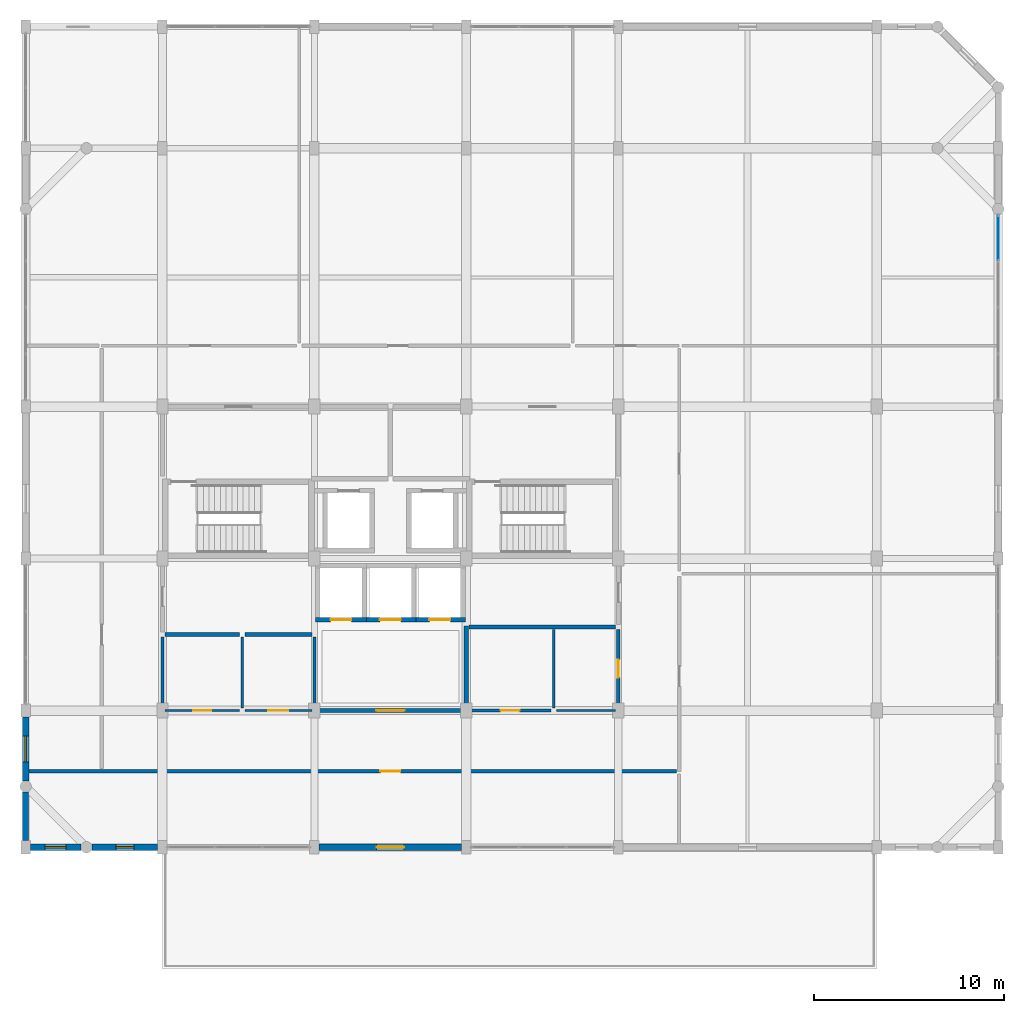
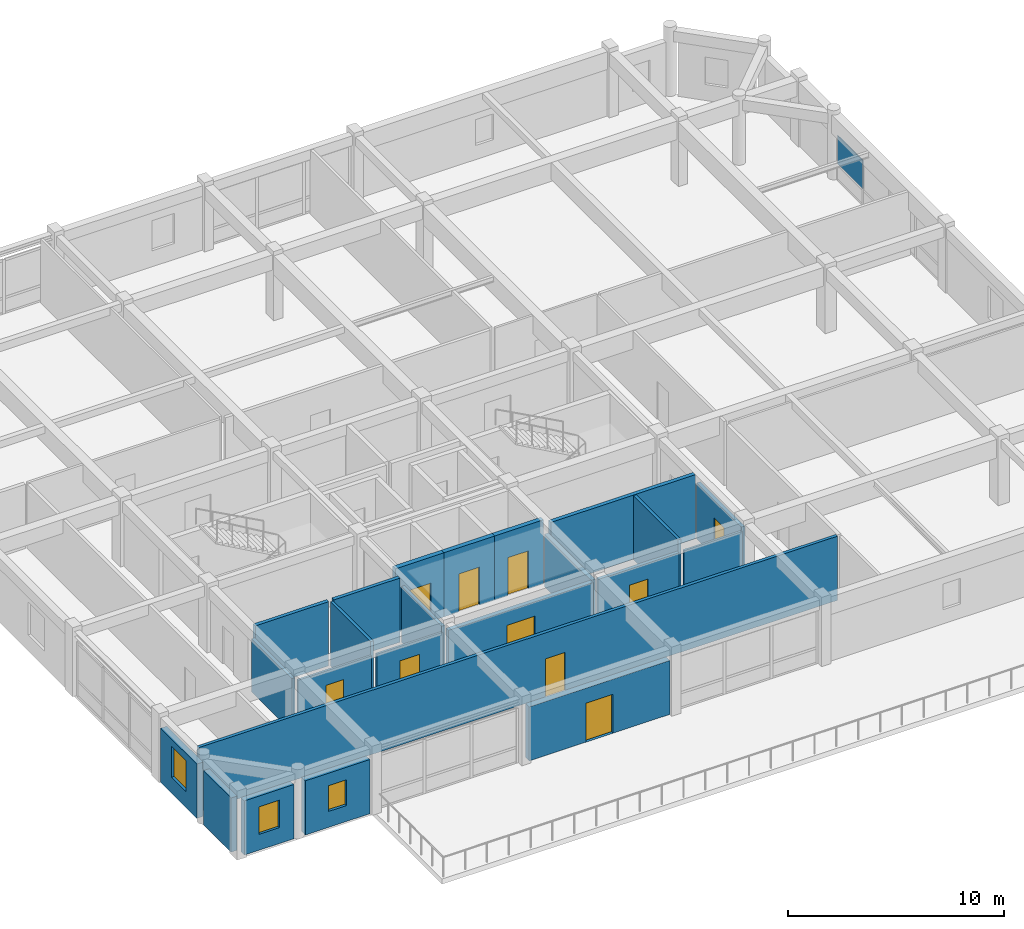
# One storey, part 9 of 13: 23 walls, 10 doors, 3 windows, 1 plate, 13 openings, 1 element without a shape of its own.
"""IFC4 building model written with IfcOpenShell, lengths in metres."""

from ifc_helpers import new_model, si_unit, direction, frame, frame_2d, origin, origin_2d, place, context, subcontext, project, spatial, rectangle, extrude, material, layer, layer_set, type_object, element, fill, aggregate, save


model = new_model("IFC4")

# Units and contexts
model_context = context("Model", 3, precision=1e-05, world=origin(), true_north=direction((0.0, 1.0)))
body_context = subcontext(model_context, "Body", "Model", "MODEL_VIEW")
ifc_project = project(units=[si_unit("LENGTHUNIT", "METRE"), si_unit("AREAUNIT", "SQUARE_METRE"), si_unit("VOLUMEUNIT", "CUBIC_METRE"), si_unit("PLANEANGLEUNIT", "RADIAN"), si_unit("MASSUNIT", "GRAM", prefix="KILO")], contexts=[model_context])

# Site, building, storey
site_placement = place(None, origin())
site = spatial("IfcSite", under=ifc_project, at=site_placement, CompositionType="ELEMENT")
building_placement = place(site_placement, origin())
building = spatial("IfcBuilding", under=site, at=building_placement, Name="Vellmiral Cinema and Media Centre", CompositionType="ELEMENT")
storey_placement = place(building_placement, frame((0.0, 0.0, 50.89990234375)))
storey = spatial("IfcBuildingStorey", under=building, at=storey_placement, Name="L12", CompositionType="ELEMENT", Elevation=50.89990234375)

# Curtain wall, plate
ifc_material_1 = material(Name="Thermally Broken Aluminium and Triple Glazing", Category="aluminium")
curtain_wall_type = type_object("IfcCurtainWallType", Name="CW-TOWER-MID-E", PredefinedType="USERDEFINED", material=ifc_material_1)
curtain_wall_placement = place(storey_placement, origin())
curtain_wall = element("IfcCurtainWall", 1, at=curtain_wall_placement, inside=storey, type_object=curtain_wall_type, Name="Curtain Wall L12-B013", ObjectType="UNITISED CURTAIN WALL", PredefinedType="USERDEFINED")
ifc_material_2 = material(Name="Solar-Control Acoustic Triple Glazing", Category="glass")
ifc_layer_1 = layer(ifc_material_2, 0.0419921875, Name="Solar-Control Acoustic Triple Glazing")
ifc_layer_set_1 = layer_set([ifc_layer_1], Name="Solar-Control Acoustic Triple Glazing")
plate_type = type_object("IfcPlateType", Name="CWP-SOLAR-42", PredefinedType="CURTAIN_PANEL", material=ifc_layer_set_1)
plate_placement = place(storey_placement, frame((168.0, 104.06494140625, 0.9326171875), z_axis=(0.0, 0.0, 1.0), x_axis=(0.0, 1.0, 0.0)))
plate = element("IfcPlate", 2, at=plate_placement, type_object=plate_type, Name="CW-07 panel 4.2", PredefinedType="CURTAIN_PANEL", context=body_context, shape_type="SweptSolid", body=[
    extrude(rectangle(XDim=2.340087890625, YDim=0.0419921875, at=origin_2d()), origin(), (0.0, 0.0, 1.0), 1.597412109375),
])
aggregate(curtain_wall, [plate])

# Wall
ifc_material_3 = material(Name="Concrete C40/50", Category="concrete")
ifc_layer_2 = layer(ifc_material_3, 0.2099609375, Name="Concrete C40/50")
ifc_layer_set_2 = layer_set([ifc_layer_2], Name="Concrete C40/50")
wall_type_1 = type_object("IfcWallType", Name="WL-COMP-210", PredefinedType="SOLIDWALL", material=ifc_layer_set_2)
wall_1_placement = place(storey_placement, frame((140.139892578125, 83.60009765625, 0.0), z_axis=(0.0, 0.0, 1.0), x_axis=(1.0, 0.0, 0.0)))
element("IfcWall", 3, at=wall_1_placement, inside=storey, type_object=wall_type_1, Name="Mechanical Riser and Duct Room Wall S", PredefinedType="SOLIDWALL", context=body_context, shape_type="SweptSolid", body=[
    extrude(rectangle(XDim=7.72021484375, YDim=0.2099609375, at=frame_2d((3.860107421875, 0.0))), origin(), (0.0, 0.0, 1.0), 3.6201171875),
])

# Wall, opening, window
ifc_material_4 = material(Name="Polychrome Glazed Ceramic Cladding", Category="masonry")
ifc_layer_3 = layer(ifc_material_4, 0.320068359375, Name="Polychrome Glazed Ceramic Cladding")
ifc_layer_set_3 = layer_set([ifc_layer_3], Name="Polychrome Glazed Ceramic Cladding")
wall_type_2 = type_object("IfcWallType", Name="WL-EXT-BRICK-320", PredefinedType="SOLIDWALL", material=ifc_layer_set_3)
wall_2_placement = place(storey_placement, frame((117.050048828125, 72.0, 0.0), z_axis=(0.0, 0.0, 1.0), x_axis=(1.0, 0.0, 0.0)))
wall_2 = element("IfcWall", 4, at=wall_2_placement, inside=storey, type_object=wall_type_2, Name="Exterior Facade Wall L12-001", PredefinedType="SOLIDWALL", context=body_context, shape_type="SweptSolid", body=[
    extrude(rectangle(XDim=2.64990234375, YDim=0.320068359375, at=frame_2d((1.324951171875, 0.0))), origin(), (0.0, 0.0, 1.0), 3.06005859375),
])
opening_1_placement = place(wall_2_placement, frame((0.77490234375, 0.0, 0.89990234375)))
opening_1 = element("IfcOpeningElement", 5, at=opening_1_placement, cuts=wall_2, Name="Opening WN-11", PredefinedType="OPENING", context=body_context, shape_type="SweptSolid", body=[
    extrude(rectangle(XDim=1.10009765625, YDim=1.550048828125, at=frame_2d((0.550048828125, 0.77490234375))), frame((0.0, 0.171875, 0.0), z_axis=(0.0, -1.0, 0.0), x_axis=(1.0, 0.0, 0.0)), (0.0, 0.0, 1.0), 0.343994140625),
])
ifc_material_5 = material(Name="Thermally Broken Aluminium Triple Glazing", Category="aluminium")
window_type_1 = type_object("IfcWindowType", Name="WN-1100x1550", PartitioningType="SINGLE_PANEL", PredefinedType="WINDOW", material=ifc_material_5)
window_1_placement = place(opening_1_placement, origin())
window_1 = element("IfcWindow", 6, at=window_1_placement, inside=storey, type_object=window_type_1, Name="Window L12-001", OverallHeight=1.550048828125, OverallWidth=1.10009765625, PartitioningType="SINGLE_PANEL", PredefinedType="WINDOW", context=body_context, shape_type="SweptSolid", body=[
    extrude(rectangle(XDim=1.10009765625, YDim=1.550048828125, at=frame_2d((0.550048828125, 0.77490234375))), frame((0.0, 0.030029296875, 0.0), z_axis=(0.0, -1.0, 0.0), x_axis=(1.0, 0.0, 0.0)), (0.0, 0.0, 1.0), 0.06005859375),
])
fill(opening_1, window_1)

# Wall
wall_3_placement = place(storey_placement, frame((116.800048828125, 74.89990234375, 0.0), z_axis=(0.0, 0.0, 1.0), x_axis=(0.0, -1.0, 0.0)))
element("IfcWall", 7, at=wall_3_placement, inside=storey, type_object=wall_type_2, Name="Exterior Facade Wall L12-029", PredefinedType="SOLIDWALL", context=body_context, shape_type="SweptSolid", body=[
    extrude(rectangle(XDim=2.5498046875, YDim=0.320068359375, at=frame_2d((1.27490234375, 0.0))), origin(), (0.0, 0.0, 1.0), 3.06005859375),
])

# Wall, opening, window
ifc_material_6 = material(Name="Vosges Red Sandstone Masonry", Category="masonry")
ifc_layer_4 = layer(ifc_material_6, 0.340087890625, Name="Vosges Red Sandstone Masonry")
ifc_layer_set_4 = layer_set([ifc_layer_4], Name="Vosges Red Sandstone Masonry")
wall_type_3 = type_object("IfcWallType", Name="WL-EXT-SAND-340", PredefinedType="SOLIDWALL", material=ifc_layer_set_4)
wall_4_placement = place(storey_placement, frame((120.300048828125, 72.0, 0.0), z_axis=(0.0, 0.0, 1.0), x_axis=(1.0, 0.0, 0.0)))
wall_4 = element("IfcWall", 8, at=wall_4_placement, inside=storey, type_object=wall_type_3, Name="Exterior Facade Wall L12-002", PredefinedType="SOLIDWALL", context=body_context, shape_type="SweptSolid", body=[
    extrude(rectangle(XDim=3.449951171875, YDim=0.340087890625, at=frame_2d((1.72509765625, 0.0))), origin(), (0.0, 0.0, 1.0), 3.06005859375),
])
opening_2_placement = place(wall_4_placement, frame((1.25, 0.0, 0.89990234375)))
opening_2 = element("IfcOpeningElement", 9, at=opening_2_placement, cuts=wall_4, Name="Opening WN-12", PredefinedType="OPENING", context=body_context, shape_type="SweptSolid", body=[
    extrude(rectangle(XDim=0.949951171875, YDim=1.449951171875, at=frame_2d((0.47509765625, 0.72509765625))), frame((0.0, 0.18212890625, 0.0), z_axis=(0.0, -1.0, 0.0), x_axis=(1.0, 0.0, 0.0)), (0.0, 0.0, 1.0), 0.364013671875),
])
ifc_material_7 = material(Name="Thermally Broken Aluminium Triple Glazing", Category="aluminium")
window_type_2 = type_object("IfcWindowType", Name="WN-0950x1450", PartitioningType="SINGLE_PANEL", PredefinedType="WINDOW", material=ifc_material_7)
window_2_placement = place(opening_2_placement, origin())
window_2 = element("IfcWindow", 10, at=window_2_placement, inside=storey, type_object=window_type_2, Name="Window L12-002", OverallHeight=1.449951171875, OverallWidth=0.949951171875, PartitioningType="SINGLE_PANEL", PredefinedType="WINDOW", context=body_context, shape_type="SweptSolid", body=[
    extrude(rectangle(XDim=0.949951171875, YDim=1.449951171875, at=frame_2d((0.47509765625, 0.72509765625))), frame((0.0, 0.030029296875, 0.0), z_axis=(0.0, -1.0, 0.0), x_axis=(1.0, 0.0, 0.0)), (0.0, 0.0, 1.0), 0.06005859375),
])
fill(opening_2, window_2)

# Wall, opening, door
wall_5_placement = place(storey_placement, frame((132.25, 72.0, 0.0), z_axis=(0.0, 0.0, 1.0), x_axis=(1.0, 0.0, 0.0)))
wall_5 = element("IfcWall", 11, at=wall_5_placement, inside=storey, type_object=wall_type_3, Name="Exterior Facade Wall L12-004", PredefinedType="SOLIDWALL", context=body_context, shape_type="SweptSolid", body=[
    extrude(rectangle(XDim=7.5, YDim=0.340087890625, at=frame_2d((3.75, 0.0))), origin(), (0.0, 0.0, 1.0), 3.045166015625),
])
opening_3_placement = place(wall_5_placement, frame((3.02490234375, 0.0, 0.0)))
opening_3 = element("IfcOpeningElement", 12, at=opening_3_placement, cuts=wall_5, Name="Opening DE-05", PredefinedType="OPENING", context=body_context, shape_type="SweptSolid", body=[
    extrude(rectangle(XDim=1.449951171875, YDim=2.199951171875, at=frame_2d((0.72509765625, 1.10009765625))), frame((0.0, 0.18212890625, 0.0), z_axis=(0.0, -1.0, 0.0), x_axis=(1.0, 0.0, 0.0)), (0.0, 0.0, 1.0), 0.364013671875),
])
ifc_material_8 = material(Name="Thermally Broken Glazed Aluminium and Bronze Door", Category="aluminium")
door_type_1 = type_object("IfcDoorType", Name="DR-TER-1450x2200", OperationType="DOUBLE_DOOR_SINGLE_SWING", PredefinedType="DOOR", material=ifc_material_8)
door_1_placement = place(opening_3_placement, frame((1.449951171875, 0.0, 0.0), z_axis=(0.0, 0.0, 1.0), x_axis=(-1.0, 0.0, 0.0)))
door_1 = element("IfcDoor", 13, at=door_1_placement, inside=storey, type_object=door_type_1, Name="Tower Rhine View Terrace Door", OperationType="DOUBLE_DOOR_SINGLE_SWING", OverallHeight=2.199951171875, OverallWidth=1.449951171875, PredefinedType="DOOR", context=body_context, shape_type="SweptSolid", body=[
    extrude(rectangle(XDim=1.449951171875, YDim=2.199951171875, at=frame_2d((0.72509765625, 1.10009765625))), frame((0.0, 0.02490234375, 0.0), z_axis=(0.0, -1.0, 0.0), x_axis=(1.0, 0.0, 0.0)), (0.0, 0.0, 1.0), 0.050048828125),
])
fill(opening_3, door_1)

# Wall, opening, window
wall_6_placement = place(storey_placement, frame((116.800048828125, 78.85009765625, 0.0), z_axis=(0.0, 0.0, 1.0), x_axis=(0.0, -1.0, 0.0)))
wall_6 = element("IfcWall", 14, at=wall_6_placement, inside=storey, type_object=wall_type_3, Name="Exterior Facade Wall L12-028", PredefinedType="SOLIDWALL", context=body_context, shape_type="SweptSolid", body=[
    extrude(rectangle(XDim=3.35009765625, YDim=0.340087890625, at=frame_2d((1.675048828125, 0.0))), origin(), (0.0, 0.0, 1.0), 3.06005859375),
])
opening_4_placement = place(wall_6_placement, frame((1.0, 0.0, 0.89990234375)))
opening_4 = element("IfcOpeningElement", 15, at=opening_4_placement, cuts=wall_6, Name="Opening WN-08", PredefinedType="OPENING", context=body_context, shape_type="SweptSolid", body=[
    extrude(rectangle(XDim=1.35009765625, YDim=1.75, at=frame_2d((0.675048828125, 0.875))), frame((0.0, 0.18212890625, 0.0), z_axis=(0.0, -1.0, 0.0), x_axis=(1.0, 0.0, 0.0)), (0.0, 0.0, 1.0), 0.364013671875),
])
ifc_material_9 = material(Name="Thermally Broken Aluminium Triple Glazing", Category="aluminium")
window_type_3 = type_object("IfcWindowType", Name="WN-1350x1750", PartitioningType="SINGLE_PANEL", PredefinedType="WINDOW", material=ifc_material_9)
window_3_placement = place(opening_4_placement, origin())
window_3 = element("IfcWindow", 16, at=window_3_placement, inside=storey, type_object=window_type_3, Name="Window L12-028", OverallHeight=1.75, OverallWidth=1.35009765625, PartitioningType="SINGLE_PANEL", PredefinedType="WINDOW", context=body_context, shape_type="SweptSolid", body=[
    extrude(rectangle(XDim=1.35009765625, YDim=1.75, at=frame_2d((0.675048828125, 0.875))), frame((0.0, 0.030029296875, 0.0), z_axis=(0.0, -1.0, 0.0), x_axis=(1.0, 0.0, 0.0)), (0.0, 0.0, 1.0), 0.06005859375),
])
fill(opening_4, window_3)

# Wall, opening, door
ifc_material_10 = material(Name="Concrete C40/50", Category="concrete")
ifc_layer_5 = layer(ifc_material_10, 0.22998046875, Name="Concrete C40/50")
ifc_layer_set_5 = layer_set([ifc_layer_5], Name="Concrete C40/50")
wall_type_4 = type_object("IfcWallType", Name="WL-FFL-230", PredefinedType="SOLIDWALL", material=ifc_layer_set_5)
wall_7_placement = place(storey_placement, frame((132.139892578125, 79.199951171875, 0.0), z_axis=(0.0, 0.0, 1.0), x_axis=(1.0, 0.0, 0.0)))
wall_7 = element("IfcWall", 17, at=wall_7_placement, inside=storey, type_object=wall_type_4, Name="Tower Passenger Lift Lobby Wall S", PredefinedType="SOLIDWALL", context=body_context, shape_type="SweptSolid", body=[
    extrude(rectangle(XDim=7.72021484375, YDim=0.22998046875, at=frame_2d((3.860107421875, 0.0))), origin(), (0.0, 0.0, 1.0), 3.005126953125),
])
opening_5_placement = place(wall_7_placement, frame((3.110107421875, 0.0, 0.0)))
opening_5 = element("IfcOpeningElement", 18, at=opening_5_placement, cuts=wall_7, Name="Opening D-FD30", PredefinedType="OPENING", context=body_context, shape_type="SweptSolid", body=[
    extrude(rectangle(XDim=1.5, YDim=2.199951171875, at=frame_2d((0.75, 1.10009765625))), frame((0.0, 0.126953125, 0.0), z_axis=(0.0, -1.0, 0.0), x_axis=(1.0, 0.0, 0.0)), (0.0, 0.0, 1.0), 0.25390625),
])
ifc_material_11 = material(Name="Timber-Core Fire Door", Category="wood")
door_type_2 = type_object("IfcDoorType", Name="DR-FD30-1500x2200", OperationType="DOUBLE_DOOR_SINGLE_SWING", PredefinedType="DOOR", material=ifc_material_11)
door_2_placement = place(opening_5_placement, frame((1.5, 0.0, 0.0), z_axis=(0.0, 0.0, 1.0), x_axis=(-1.0, 0.0, 0.0)))
door_2 = element("IfcDoor", 19, at=door_2_placement, inside=storey, type_object=door_type_2, Name="Tower Passenger Lift Lobby Door", OperationType="DOUBLE_DOOR_SINGLE_SWING", OverallHeight=2.199951171875, OverallWidth=1.5, PredefinedType="DOOR", context=body_context, shape_type="SweptSolid", body=[
    extrude(rectangle(XDim=1.5, YDim=2.199951171875, at=frame_2d((0.75, 1.10009765625))), frame((0.0, 0.02490234375, 0.0), z_axis=(0.0, -1.0, 0.0), x_axis=(1.0, 0.0, 0.0)), (0.0, 0.0, 1.0), 0.050048828125),
])
fill(opening_5, door_2)

# Wall
wall_8_placement = place(storey_placement, frame((140.0, 79.340087890625, 0.0), z_axis=(0.0, 0.0, 1.0), x_axis=(0.0, 1.0, 0.0)))
element("IfcWall", 20, at=wall_8_placement, inside=storey, type_object=wall_type_4, Name="Tower Passenger Lift Lobby Wall E", PredefinedType="SOLIDWALL", context=body_context, shape_type="SweptSolid", body=[
    extrude(rectangle(XDim=4.31982421875, YDim=0.22998046875, at=frame_2d((2.159912109375, 0.0))), origin(), (0.0, 0.0, 1.0), 2.955078125),
])

# Wall, opening, door
ifc_material_12 = material(Name="Gypsum Plasterboard")
ifc_layer_6 = layer(ifc_material_12, 0.02490234375, Name="Gypsum Plasterboard", Category="gypsum")
ifc_material_13 = material(Name="Mineral Wool Acoustic Insulation", Category="insulation")
ifc_layer_7 = layer(ifc_material_13, 0.06005859375, Name="Mineral Wool Acoustic Insulation", Category="insulation")
ifc_layer_8 = layer(ifc_material_12, 0.02490234375, Name="Gypsum Plasterboard", Category="gypsum")
ifc_layer_set_6 = layer_set([ifc_layer_6, ifc_layer_7, ifc_layer_8], Name="Gypsum Plasterboard")
wall_type_5 = type_object("IfcWallType", Name="WL-PART-110", PredefinedType="PARTITIONING", material=ifc_layer_set_6)
wall_9_placement = place(storey_placement, frame((124.139892578125, 79.199951171875, 0.0), z_axis=(0.0, 0.0, 1.0), x_axis=(1.0, 0.0, 0.0)))
wall_9 = element("IfcWall", 21, at=wall_9_placement, inside=storey, type_object=wall_type_5, Name="Staff WC Wall S", PredefinedType="PARTITIONING", context=body_context, shape_type="SweptSolid", body=[
    extrude(rectangle(XDim=3.920166015625, YDim=0.110107421875, at=frame_2d((1.9599609375, 0.0))), origin(), (0.0, 0.0, 1.0), 2.955078125),
])
opening_6_placement = place(wall_9_placement, frame((1.485107421875, 0.0, 0.0)))
opening_6 = element("IfcOpeningElement", 22, at=opening_6_placement, cuts=wall_9, Name="Opening D-I09", PredefinedType="OPENING", context=body_context, shape_type="SweptSolid", body=[
    extrude(rectangle(XDim=0.949951171875, YDim=2.14990234375, at=frame_2d((0.47509765625, 1.074951171875))), frame((0.0, 0.06689453125, 0.0), z_axis=(0.0, -1.0, 0.0), x_axis=(1.0, 0.0, 0.0)), (0.0, 0.0, 1.0), 0.134033203125),
])
ifc_material_14 = material(Name="Moisture-Resistant Timber Door", Category="wood")
door_type_3 = type_object("IfcDoorType", Name="DR-INT-950x2150", OperationType="NOTDEFINED", PredefinedType="DOOR", material=ifc_material_14)
door_3_placement = place(opening_6_placement, origin())
door_3 = element("IfcDoor", 23, at=door_3_placement, inside=storey, type_object=door_type_3, Name="Staff WC Door", OperationType="SINGLE_SWING_LEFT", OverallHeight=2.14990234375, OverallWidth=0.949951171875, PredefinedType="DOOR", context=body_context, shape_type="SweptSolid", body=[
    extrude(rectangle(XDim=0.949951171875, YDim=2.14990234375, at=frame_2d((0.47509765625, 1.074951171875))), frame((0.0, 0.02490234375, 0.0), z_axis=(0.0, -1.0, 0.0), x_axis=(1.0, 0.0, 0.0)), (0.0, 0.0, 1.0), 0.050048828125),
])
fill(opening_6, door_3)

wall_10_placement = place(storey_placement, frame((128.340087890625, 79.199951171875, 0.0), z_axis=(0.0, 0.0, 1.0), x_axis=(1.0, 0.0, 0.0)))
wall_10 = element("IfcWall", 24, at=wall_10_placement, inside=storey, type_object=wall_type_5, Name="Accessible WC Wall S", PredefinedType="PARTITIONING", context=body_context, shape_type="SweptSolid", body=[
    extrude(rectangle(XDim=3.52001953125, YDim=0.110107421875, at=frame_2d((1.760009765625, 0.0))), origin(), (0.0, 0.0, 1.0), 2.955078125),
])
opening_7_placement = place(wall_10_placement, frame((1.235107421875, 0.0, 0.0)))
opening_7 = element("IfcOpeningElement", 25, at=opening_7_placement, cuts=wall_10, Name="Opening D-I10", PredefinedType="OPENING", context=body_context, shape_type="SweptSolid", body=[
    extrude(rectangle(XDim=1.050048828125, YDim=2.14990234375, at=frame_2d((0.52490234375, 1.074951171875))), frame((0.0, 0.06689453125, 0.0), z_axis=(0.0, -1.0, 0.0), x_axis=(1.0, 0.0, 0.0)), (0.0, 0.0, 1.0), 0.134033203125),
])
ifc_material_15 = material(Name="Barrier-Free Timber Door", Category="wood")
door_type_4 = type_object("IfcDoorType", Name="DR-ACC-1050x2150", OperationType="NOTDEFINED", PredefinedType="DOOR", material=ifc_material_15)
door_4_placement = place(opening_7_placement, origin())
door_4 = element("IfcDoor", 26, at=door_4_placement, inside=storey, type_object=door_type_4, Name="Accessible WC Door", OperationType="SINGLE_SWING_RIGHT", OverallHeight=2.14990234375, OverallWidth=1.050048828125, PredefinedType="DOOR", context=body_context, shape_type="SweptSolid", body=[
    extrude(rectangle(XDim=1.050048828125, YDim=2.14990234375, at=frame_2d((0.52490234375, 1.074951171875))), frame((0.0, 0.02490234375, 0.0), z_axis=(0.0, -1.0, 0.0), x_axis=(1.0, 0.0, 0.0)), (0.0, 0.0, 1.0), 0.050048828125),
])
fill(opening_7, door_4)

# Walls
wall_11_placement = place(storey_placement, frame((144.739990234375, 79.199951171875, 0.0), z_axis=(0.0, 0.0, 1.0), x_axis=(1.0, 0.0, 0.0)))
element("IfcWall", 27, at=wall_11_placement, inside=storey, type_object=wall_type_5, Name="Equipment Store Room Wall S", PredefinedType="PARTITIONING", context=body_context, shape_type="SweptSolid", body=[
    extrude(rectangle(XDim=3.1201171875, YDim=0.110107421875, at=frame_2d((1.56005859375, 0.0))), origin(), (0.0, 0.0, 1.0), 3.05517578125),
])
ifc_material_16 = material(Name="Gypsum Plasterboard")
ifc_layer_9 = layer(ifc_material_16, 0.02490234375, Name="Gypsum Plasterboard", Category="gypsum")
ifc_material_17 = material(Name="Mineral Wool Acoustic Insulation", Category="insulation")
ifc_layer_10 = layer(ifc_material_17, 0.10009765625, Name="Mineral Wool Acoustic Insulation", Category="insulation")
ifc_layer_11 = layer(ifc_material_16, 0.02490234375, Name="Gypsum Plasterboard", Category="gypsum")
ifc_layer_set_7 = layer_set([ifc_layer_9, ifc_layer_10, ifc_layer_11], Name="Gypsum Plasterboard")
wall_type_6 = type_object("IfcWallType", Name="WL-PART-150", PredefinedType="PARTITIONING", material=ifc_layer_set_7)
wall_12_placement = place(storey_placement, frame((128.199951171875, 79.340087890625, 0.0), z_axis=(0.0, 0.0, 1.0), x_axis=(0.0, 1.0, 0.0)))
element("IfcWall", 28, at=wall_12_placement, inside=storey, type_object=wall_type_6, Name="Staff WC Wall E", PredefinedType="PARTITIONING", context=body_context, shape_type="SweptSolid", body=[
    extrude(rectangle(XDim=3.719970703125, YDim=0.14990234375, at=frame_2d((1.85986328125, 0.0))), origin(), (0.0, 0.0, 1.0), 3.6201171875),
])
wall_13_placement = place(storey_placement, frame((144.60009765625, 79.340087890625, 0.0), z_axis=(0.0, 0.0, 1.0), x_axis=(0.0, 1.0, 0.0)))
element("IfcWall", 29, at=wall_13_placement, inside=storey, type_object=wall_type_6, Name="Staff Tea Pantry Wall E", PredefinedType="PARTITIONING", context=body_context, shape_type="SweptSolid", body=[
    extrude(rectangle(XDim=4.119873046875, YDim=0.14990234375, at=frame_2d((2.06005859375, 0.0))), origin(), (0.0, 0.0, 1.0), 3.6201171875),
])
ifc_material_18 = material(Name="Gypsum Plasterboard")
ifc_layer_12 = layer(ifc_material_18, 0.02490234375, Name="Gypsum Plasterboard", Category="gypsum")
ifc_material_19 = material(Name="Mineral Wool Acoustic Insulation", Category="insulation")
ifc_layer_13 = layer(ifc_material_19, 0.1201171875, Name="Mineral Wool Acoustic Insulation", Category="insulation")
ifc_layer_14 = layer(ifc_material_18, 0.02490234375, Name="Gypsum Plasterboard", Category="gypsum")
ifc_layer_set_8 = layer_set([ifc_layer_12, ifc_layer_13, ifc_layer_14], Name="Gypsum Plasterboard")
wall_type_7 = type_object("IfcWallType", Name="WL-PART-170", PredefinedType="PARTITIONING", material=ifc_layer_set_8)
wall_14_placement = place(storey_placement, frame((124.0, 79.340087890625, 0.0), z_axis=(0.0, 0.0, 1.0), x_axis=(0.0, 1.0, 0.0)))
element("IfcWall", 30, at=wall_14_placement, inside=storey, type_object=wall_type_7, Name="Staff WC Wall W", PredefinedType="PARTITIONING", context=body_context, shape_type="SweptSolid", body=[
    extrude(rectangle(XDim=3.719970703125, YDim=0.169921875, at=frame_2d((1.85986328125, 0.0))), origin(), (0.0, 0.0, 1.0), 3.005126953125),
])
wall_15_placement = place(storey_placement, frame((132.0, 79.340087890625, 0.0), z_axis=(0.0, 0.0, 1.0), x_axis=(0.0, 1.0, 0.0)))
element("IfcWall", 31, at=wall_15_placement, inside=storey, type_object=wall_type_7, Name="Accessible WC Wall E", PredefinedType="PARTITIONING", context=body_context, shape_type="SweptSolid", body=[
    extrude(rectangle(XDim=3.719970703125, YDim=0.169921875, at=frame_2d((1.85986328125, 0.0))), origin(), (0.0, 0.0, 1.0), 3.155029296875),
])

# Wall, opening, door
wall_16_placement = place(storey_placement, frame((140.139892578125, 79.199951171875, 0.0), z_axis=(0.0, 0.0, 1.0), x_axis=(1.0, 0.0, 0.0)))
wall_16 = element("IfcWall", 32, at=wall_16_placement, inside=storey, type_object=wall_type_7, Name="Staff Tea Pantry Wall S", PredefinedType="PARTITIONING", context=body_context, shape_type="SweptSolid", body=[
    extrude(rectangle(XDim=4.320068359375, YDim=0.169921875, at=frame_2d((2.16015625, 0.0))), origin(), (0.0, 0.0, 1.0), 3.05517578125),
])
opening_8_placement = place(wall_16_placement, frame((1.659912109375, 0.0, 0.0)))
opening_8 = element("IfcOpeningElement", 33, at=opening_8_placement, cuts=wall_16, Name="Opening D-I08", PredefinedType="OPENING", context=body_context, shape_type="SweptSolid", body=[
    extrude(rectangle(XDim=1.0, YDim=2.14990234375, at=frame_2d((0.5, 1.074951171875))), frame((0.0, 0.096923828125, 0.0), z_axis=(0.0, -1.0, 0.0), x_axis=(1.0, 0.0, 0.0)), (0.0, 0.0, 1.0), 0.19384765625),
])
ifc_material_20 = material(Name="Laminated Timber Door", Category="wood")
door_type_5 = type_object("IfcDoorType", Name="DR-INT-1000x2150", OperationType="NOTDEFINED", PredefinedType="DOOR", material=ifc_material_20)
door_5_placement = place(opening_8_placement, origin())
door_5 = element("IfcDoor", 34, at=door_5_placement, inside=storey, type_object=door_type_5, Name="Staff Tea Pantry Door", OperationType="SINGLE_SWING_RIGHT", OverallHeight=2.14990234375, OverallWidth=1.0, PredefinedType="DOOR", context=body_context, shape_type="SweptSolid", body=[
    extrude(rectangle(XDim=1.0, YDim=2.14990234375, at=frame_2d((0.5, 1.074951171875))), frame((0.0, 0.02490234375, 0.0), z_axis=(0.0, -1.0, 0.0), x_axis=(1.0, 0.0, 0.0)), (0.0, 0.0, 1.0), 0.050048828125),
])
fill(opening_8, door_5)

wall_17_placement = place(storey_placement, frame((116.985107421875, 76.0, 0.0), z_axis=(0.0, 0.0, 1.0), x_axis=(1.0, 0.0, 0.0)))
wall_17 = element("IfcWall", 35, at=wall_17_placement, inside=storey, type_object=wall_type_7, Name="South Rhine Gallery Lounge Wall N", PredefinedType="PARTITIONING", context=body_context, shape_type="SweptSolid", body=[
    extrude(rectangle(XDim=34.074951171875, YDim=0.169921875, at=frame_2d((17.03759765625, 0.0))), origin(), (0.0, 0.0, 1.0), 3.6201171875),
])
opening_9_placement = place(wall_17_placement, frame((18.489990234375, 0.0, 0.0)))
opening_9 = element("IfcOpeningElement", 36, at=opening_9_placement, cuts=wall_17, Name="Opening D-I07", PredefinedType="OPENING", context=body_context, shape_type="SweptSolid", body=[
    extrude(rectangle(XDim=1.050048828125, YDim=2.14990234375, at=frame_2d((0.52490234375, 1.074951171875))), frame((0.0, 0.096923828125, 0.0), z_axis=(0.0, -1.0, 0.0), x_axis=(1.0, 0.0, 0.0)), (0.0, 0.0, 1.0), 0.19384765625),
])
ifc_material_21 = material(Name="Laminated Timber Door", Category="wood")
door_type_6 = type_object("IfcDoorType", Name="DR-INT-1050x2150", OperationType="NOTDEFINED", PredefinedType="DOOR", material=ifc_material_21)
door_6_placement = place(opening_9_placement, origin())
door_6 = element("IfcDoor", 37, at=door_6_placement, inside=storey, type_object=door_type_6, Name="South Rhine Gallery Lounge Door", OperationType="SINGLE_SWING_RIGHT", OverallHeight=2.14990234375, OverallWidth=1.050048828125, PredefinedType="DOOR", context=body_context, shape_type="SweptSolid", body=[
    extrude(rectangle(XDim=1.050048828125, YDim=2.14990234375, at=frame_2d((0.52490234375, 1.074951171875))), frame((0.0, 0.02490234375, 0.0), z_axis=(0.0, -1.0, 0.0), x_axis=(1.0, 0.0, 0.0)), (0.0, 0.0, 1.0), 0.050048828125),
])
fill(opening_9, door_6)

# Walls
ifc_material_22 = material(Name="Gypsum Plasterboard")
ifc_layer_15 = layer(ifc_material_22, 0.02490234375, Name="Gypsum Plasterboard", Category="gypsum")
ifc_material_23 = material(Name="Mineral Wool Acoustic Insulation", Category="insulation")
ifc_layer_16 = layer(ifc_material_23, 0.139892578125, Name="Mineral Wool Acoustic Insulation", Category="insulation")
ifc_layer_17 = layer(ifc_material_22, 0.02490234375, Name="Gypsum Plasterboard", Category="gypsum")
ifc_layer_set_9 = layer_set([ifc_layer_15, ifc_layer_16, ifc_layer_17], Name="Gypsum Plasterboard")
wall_type_8 = type_object("IfcWallType", Name="WL-PART-190", PredefinedType="PARTITIONING", material=ifc_layer_set_9)
wall_18_placement = place(storey_placement, frame((124.139892578125, 83.199951171875, 0.0), z_axis=(0.0, 0.0, 1.0), x_axis=(1.0, 0.0, 0.0)))
element("IfcWall", 38, at=wall_18_placement, inside=storey, type_object=wall_type_8, Name="Staff WC Wall N", PredefinedType="PARTITIONING", context=body_context, shape_type="SweptSolid", body=[
    extrude(rectangle(XDim=3.920166015625, YDim=0.18994140625, at=frame_2d((1.9599609375, 0.0))), origin(), (0.0, 0.0, 1.0), 3.6201171875),
])
wall_19_placement = place(storey_placement, frame((128.340087890625, 83.199951171875, 0.0), z_axis=(0.0, 0.0, 1.0), x_axis=(1.0, 0.0, 0.0)))
element("IfcWall", 39, at=wall_19_placement, inside=storey, type_object=wall_type_8, Name="Accessible WC Wall N", PredefinedType="PARTITIONING", context=body_context, shape_type="SweptSolid", body=[
    extrude(rectangle(XDim=3.52001953125, YDim=0.18994140625, at=frame_2d((1.760009765625, 0.0))), origin(), (0.0, 0.0, 1.0), 3.6201171875),
])

# Wall, opening, door
wall_20_placement = place(storey_placement, frame((148.0, 79.340087890625, 0.0), z_axis=(0.0, 0.0, 1.0), x_axis=(0.0, 1.0, 0.0)))
wall_20 = element("IfcWall", 40, at=wall_20_placement, inside=storey, type_object=wall_type_8, Name="Equipment Store Room Wall E", PredefinedType="PARTITIONING", context=body_context, shape_type="SweptSolid", body=[
    extrude(rectangle(XDim=4.119873046875, YDim=0.18994140625, at=frame_2d((2.06005859375, 0.0))), origin(), (0.0, 0.0, 1.0), 3.155029296875),
])
opening_10_placement = place(wall_20_placement, frame((1.5849609375, 0.0, 0.0)))
opening_10 = element("IfcOpeningElement", 41, at=opening_10_placement, cuts=wall_20, Name="Opening D-I09", PredefinedType="OPENING", context=body_context, shape_type="SweptSolid", body=[
    extrude(rectangle(XDim=0.949951171875, YDim=2.14990234375, at=frame_2d((0.47509765625, 1.074951171875))), frame((0.0, 0.10693359375, 0.0), z_axis=(0.0, -1.0, 0.0), x_axis=(1.0, 0.0, 0.0)), (0.0, 0.0, 1.0), 0.2138671875),
])
door_7_placement = place(opening_10_placement, origin())
door_7 = element("IfcDoor", 42, at=door_7_placement, inside=storey, type_object=door_type_3, Name="Equipment Store Room Door", OperationType="SINGLE_SWING_LEFT", OverallHeight=2.14990234375, OverallWidth=0.949951171875, PredefinedType="DOOR", context=body_context, shape_type="SweptSolid", body=[
    extrude(rectangle(XDim=0.949951171875, YDim=2.14990234375, at=frame_2d((0.47509765625, 1.074951171875))), frame((0.0, 0.02490234375, 0.0), z_axis=(0.0, -1.0, 0.0), x_axis=(1.0, 0.0, 0.0)), (0.0, 0.0, 1.0), 0.050048828125),
])
fill(opening_10, door_7)

ifc_material_24 = material(Name="Concrete C40/50", Category="concrete")
ifc_layer_18 = layer(ifc_material_24, 0.25, Name="Concrete C40/50")
ifc_layer_set_10 = layer_set([ifc_layer_18], Name="Concrete C40/50")
wall_type_9 = type_object("IfcWallType", Name="WL-SHAFT-250", PredefinedType="SHEAR", material=ifc_layer_set_10)
wall_21_placement = place(storey_placement, frame((132.050048828125, 83.97509765625, 0.0), z_axis=(0.0, 0.0, 1.0), x_axis=(1.0, 0.0, 0.0)))
wall_21 = element("IfcWall", 43, at=wall_21_placement, inside=storey, type_object=wall_type_9, Name="Lift Shaft Wall LF-P1 L12-S", PredefinedType="SHEAR", context=body_context, shape_type="SweptSolid", body=[
    extrude(rectangle(XDim=2.699951171875, YDim=0.25, at=frame_2d((1.35009765625, 0.0))), origin(), (0.0, 0.0, 1.0), 3.6201171875),
])
opening_11_placement = place(wall_21_placement, frame((0.800048828125, 0.0, 0.0)))
opening_11 = element("IfcOpeningElement", 44, at=opening_11_placement, cuts=wall_21, Name="Opening LD-01", PredefinedType="OPENING", context=body_context, shape_type="SweptSolid", body=[
    extrude(rectangle(XDim=1.10009765625, YDim=2.14990234375, at=frame_2d((0.550048828125, 1.074951171875))), frame((0.0, 0.136962890625, 0.0), z_axis=(0.0, -1.0, 0.0), x_axis=(1.0, 0.0, 0.0)), (0.0, 0.0, 1.0), 0.27392578125),
])
ifc_material_25 = material(Name="Stainless Steel Lift Landing Door", Category="steel")
door_type_7 = type_object("IfcDoorType", Name="DR-LIFT-1100x2150", OperationType="SLIDING_TO_LEFT", PredefinedType="DOOR", material=ifc_material_25)
door_8_placement = place(opening_11_placement, origin())
door_8 = element("IfcDoor", 45, at=door_8_placement, inside=storey, type_object=door_type_7, Name="Lift Landing Door LF-P1 L12", OperationType="SLIDING_TO_LEFT", OverallHeight=2.14990234375, OverallWidth=1.10009765625, PredefinedType="DOOR", context=body_context, shape_type="SweptSolid", body=[
    extrude(rectangle(XDim=1.10009765625, YDim=2.14990234375, at=frame_2d((0.550048828125, 1.074951171875))), frame((0.0, 0.02490234375, 0.0), z_axis=(0.0, -1.0, 0.0), x_axis=(1.0, 0.0, 0.0)), (0.0, 0.0, 1.0), 0.050048828125),
])
fill(opening_11, door_8)

wall_22_placement = place(storey_placement, frame((134.64990234375, 83.97509765625, 0.0), z_axis=(0.0, 0.0, 1.0), x_axis=(1.0, 0.0, 0.0)))
wall_22 = element("IfcWall", 46, at=wall_22_placement, inside=storey, type_object=wall_type_9, Name="Lift Shaft Wall LF-P2 L12-S", PredefinedType="SHEAR", context=body_context, shape_type="SweptSolid", body=[
    extrude(rectangle(XDim=2.7001953125, YDim=0.25, at=frame_2d((1.35009765625, 0.0))), origin(), (0.0, 0.0, 1.0), 3.6201171875),
])
opening_12_placement = place(wall_22_placement, frame((0.800048828125, 0.0, 0.0)))
opening_12 = element("IfcOpeningElement", 47, at=opening_12_placement, cuts=wall_22, Name="Opening LD-01", PredefinedType="OPENING", context=body_context, shape_type="SweptSolid", body=[
    extrude(rectangle(XDim=1.10009765625, YDim=2.14990234375, at=frame_2d((0.550048828125, 1.074951171875))), frame((0.0, 0.136962890625, 0.0), z_axis=(0.0, -1.0, 0.0), x_axis=(1.0, 0.0, 0.0)), (0.0, 0.0, 1.0), 0.27392578125),
])
door_9_placement = place(opening_12_placement, origin())
door_9 = element("IfcDoor", 48, at=door_9_placement, inside=storey, type_object=door_type_7, Name="Lift Landing Door LF-P2 L12", OperationType="SLIDING_TO_LEFT", OverallHeight=2.14990234375, OverallWidth=1.10009765625, PredefinedType="DOOR", context=body_context, shape_type="SweptSolid", body=[
    extrude(rectangle(XDim=1.10009765625, YDim=2.14990234375, at=frame_2d((0.550048828125, 1.074951171875))), frame((0.0, 0.02490234375, 0.0), z_axis=(0.0, -1.0, 0.0), x_axis=(1.0, 0.0, 0.0)), (0.0, 0.0, 1.0), 0.050048828125),
])
fill(opening_12, door_9)

wall_23_placement = place(storey_placement, frame((137.25, 83.97509765625, 0.0), z_axis=(0.0, 0.0, 1.0), x_axis=(1.0, 0.0, 0.0)))
wall_23 = element("IfcWall", 49, at=wall_23_placement, inside=storey, type_object=wall_type_9, Name="Lift Shaft Wall LF-P3 L12-S", PredefinedType="SHEAR", context=body_context, shape_type="SweptSolid", body=[
    extrude(rectangle(XDim=2.699951171875, YDim=0.25, at=frame_2d((1.35009765625, 0.0))), origin(), (0.0, 0.0, 1.0), 3.6201171875),
])
opening_13_placement = place(wall_23_placement, frame((0.800048828125, 0.0, 0.0)))
opening_13 = element("IfcOpeningElement", 50, at=opening_13_placement, cuts=wall_23, Name="Opening LD-01", PredefinedType="OPENING", context=body_context, shape_type="SweptSolid", body=[
    extrude(rectangle(XDim=1.10009765625, YDim=2.14990234375, at=frame_2d((0.550048828125, 1.074951171875))), frame((0.0, 0.136962890625, 0.0), z_axis=(0.0, -1.0, 0.0), x_axis=(1.0, 0.0, 0.0)), (0.0, 0.0, 1.0), 0.27392578125),
])
door_10_placement = place(opening_13_placement, origin())
door_10 = element("IfcDoor", 51, at=door_10_placement, inside=storey, type_object=door_type_7, Name="Lift Landing Door LF-P3 L12", OperationType="SLIDING_TO_LEFT", OverallHeight=2.14990234375, OverallWidth=1.10009765625, PredefinedType="DOOR", context=body_context, shape_type="SweptSolid", body=[
    extrude(rectangle(XDim=1.10009765625, YDim=2.14990234375, at=frame_2d((0.550048828125, 1.074951171875))), frame((0.0, 0.02490234375, 0.0), z_axis=(0.0, -1.0, 0.0), x_axis=(1.0, 0.0, 0.0)), (0.0, 0.0, 1.0), 0.050048828125),
])
fill(opening_13, door_10)

save(model, "model.ifc")
